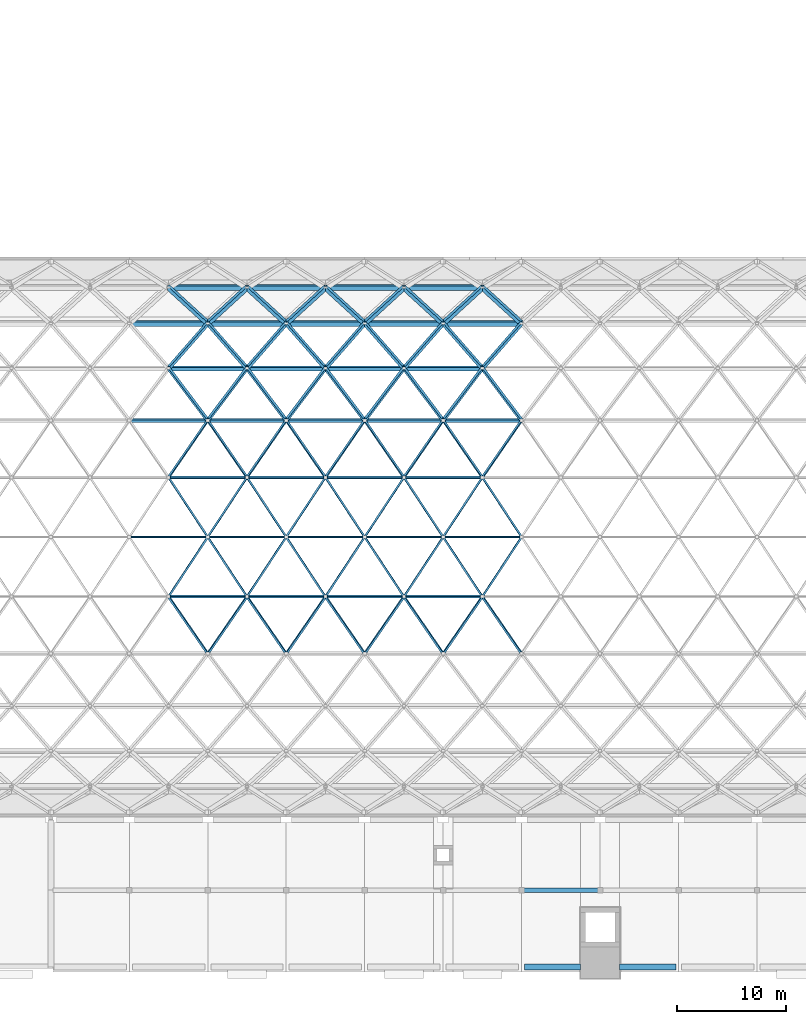
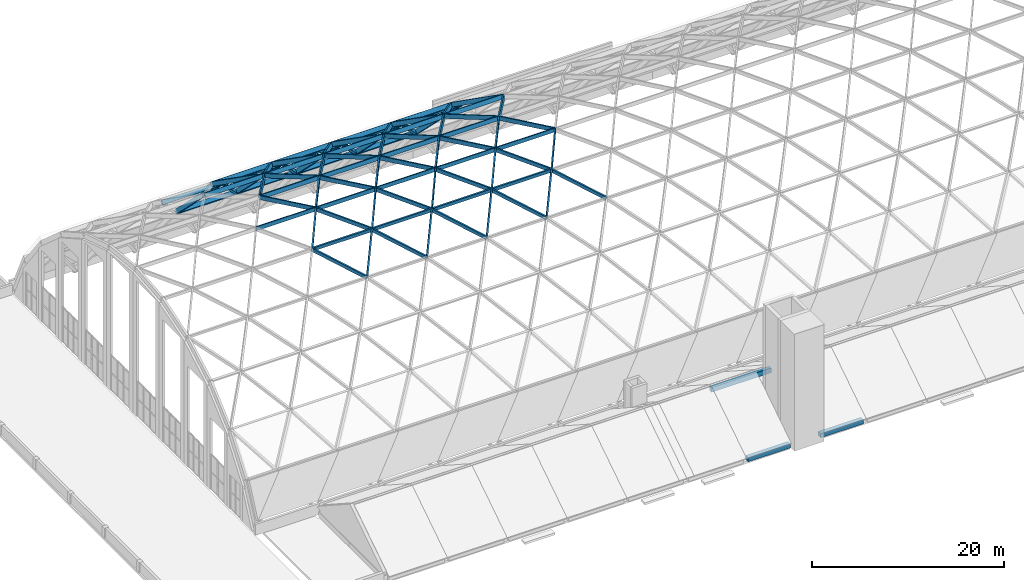
# One storey, part 7 of 52: 63 members, 34 beams.
"""IFC4 building model written with IfcOpenShell, lengths in metres."""

from ifc_helpers import new_model, si_unit, direction, frame, origin, origin_2d, place, context, subcontext, project, spatial, rectangle, extrude, material, material_profile, profile_set, type_object, element, save


model = new_model("IFC4")

# Units and contexts
model_context = context("Model", 3, precision=1e-05, world=origin(), true_north=direction((0.0, 1.0)))
body_context = subcontext(model_context, "Body", "Model", "MODEL_VIEW")
ifc_project = project(units=[si_unit("LENGTHUNIT", "METRE"), si_unit("AREAUNIT", "SQUARE_METRE"), si_unit("VOLUMEUNIT", "CUBIC_METRE"), si_unit("PLANEANGLEUNIT", "RADIAN"), si_unit("MASSUNIT", "GRAM", prefix="KILO")], contexts=[model_context])

# Site, building, storey
site_placement = place(None, origin())
site = spatial("IfcSite", under=ifc_project, at=site_placement, CompositionType="ELEMENT")
building_placement = place(site_placement, origin())
building = spatial("IfcBuilding", under=site, at=building_placement, Name="Vermilion Court Aquatics Centre", CompositionType="ELEMENT")
storey_placement = place(building_placement, frame((0.0, 0.0, 12.0)))
storey = spatial("IfcBuildingStorey", under=building, at=storey_placement, Name="L02", CompositionType="ELEMENT", Elevation=12.0)

# Beams
ifc_material_1 = material(Name="Glulam 24F-V4 Douglas fir", Category="wood")
ifc_material_profile_1 = material_profile(ifc_material_1, rectangle(XDim=0.1298828125, YDim=0.5, at=origin_2d()), Name="GL24F 130x500")
ifc_profile_set_1 = profile_set([ifc_material_profile_1], Name="Glulam 24F-V4 Douglas fir")
beam_type_1 = type_object("IfcBeamType", Name="Roof glulam beam GL24F 130x500", PredefinedType="BEAM", material=ifc_profile_set_1)
for number, where, z_axis, x_axis, name in (
    (1, (28.800048828125, 39.60009765625, 18.25), (1.0, 0.0, 0.0), (0.0, 1.0, 0.0), "Gridshell member GM-S06-02"),
    (2, (36.0, 39.60009765625, 18.25), (1.0, 0.0, 0.0), (0.0, 1.0, 0.0), "Gridshell member GM-S06-03"),
    (3, (43.199951171875, 39.60009765625, 18.25), (1.0, 0.0, 0.0), (0.0, 1.0, 0.0), "Gridshell member GM-S06-04"),
):
    element("IfcBeam", number, at=place(storey_placement, frame(where, z_axis=z_axis, x_axis=x_axis)), inside=storey, type_object=beam_type_1, Name=name, PredefinedType="BEAM", context=body_context, shape_type="SweptSolid", body=[
        extrude(rectangle(XDim=0.1298828125, YDim=0.5, at=origin_2d()), origin(), (0.0, 0.0, 1.0), 7.199951171875),
    ])
beam_1_placement = place(storey_placement, frame((50.39990234375, 39.60009765625, 18.25), z_axis=(1.0, 0.0, 0.0), x_axis=(0.0, 1.0, 0.0)))
element("IfcBeam", 4, at=beam_1_placement, inside=storey, type_object=beam_type_1, Name="Gridshell member GM-S06-05", PredefinedType="BEAM", context=body_context, shape_type="SweptSolid", body=[
    extrude(rectangle(XDim=0.1298828125, YDim=0.5, at=origin_2d()), origin(), (0.0, 0.0, 1.0), 7.2001953125),
])
beam_2_placement = place(storey_placement, frame((57.60009765625, 39.60009765625, 18.25), z_axis=(1.0, 0.0, 0.0), x_axis=(0.0, 1.0, 0.0)))
element("IfcBeam", 5, at=beam_2_placement, inside=storey, type_object=beam_type_1, Name="Gridshell member GM-S06-06", PredefinedType="BEAM", context=body_context, shape_type="SweptSolid", body=[
    extrude(rectangle(XDim=0.1298828125, YDim=0.5, at=origin_2d()), origin(), (0.0, 0.0, 1.0), 7.199951171875),
])
ifc_material_2 = material(Name="Glulam 24F-V4 Douglas fir", Category="wood")
ifc_material_profile_2 = material_profile(ifc_material_2, rectangle(XDim=0.1708984375, YDim=0.5, at=origin_2d()), Name="GL24F 171x500")
ifc_profile_set_2 = profile_set([ifc_material_profile_2], Name="Glulam 24F-V4 Douglas fir")
beam_type_2 = type_object("IfcBeamType", Name="Roof glulam beam GL24F 171x500", PredefinedType="BEAM", material=ifc_profile_set_2)
beam_3_placement = place(storey_placement, frame((32.39990234375, 34.1298828125, 17.681884765625), z_axis=(1.0, 0.0, 0.0), x_axis=(0.0, 0.978692135467, 0.205333153619)))
element("IfcBeam", 6, at=beam_3_placement, inside=storey, type_object=beam_type_2, Name="Gridshell member GM-S05-03", PredefinedType="BEAM", context=body_context, shape_type="SweptSolid", body=[
    extrude(rectangle(XDim=0.1708984375, YDim=0.5, at=origin_2d()), origin(), (0.0, 0.0, 1.0), 7.2001953125),
])
for number, where, z_axis, x_axis, name in (
    (7, (39.60009765625, 34.1298828125, 17.681884765625), (1.0, 0.0, 0.0), (0.0, 0.978692135467, 0.205333153619), "Gridshell member GM-S05-04"),
    (8, (46.800048828125, 34.1298828125, 17.681884765625), (1.0, 0.0, 0.0), (0.0, 0.978692135467, 0.205333153619), "Gridshell member GM-S05-05"),
    (9, (54.0, 34.1298828125, 17.681884765625), (1.0, 0.0, 0.0), (0.0, 0.978692135467, 0.205333153619), "Gridshell member GM-S05-06"),
):
    element("IfcBeam", number, at=place(storey_placement, frame(where, z_axis=z_axis, x_axis=x_axis)), inside=storey, type_object=beam_type_2, Name=name, PredefinedType="BEAM", context=body_context, shape_type="SweptSolid", body=[
        extrude(rectangle(XDim=0.1708984375, YDim=0.5, at=origin_2d()), origin(), (0.0, 0.0, 1.0), 7.199951171875),
    ])
beam_4_placement = place(storey_placement, frame((32.39990234375, 45.070068359375, 17.681884765625), z_axis=(1.0, 0.0, 0.0), x_axis=(0.0, 0.978692135467, -0.205333153619)))
element("IfcBeam", 10, at=beam_4_placement, inside=storey, type_object=beam_type_2, Name="Gridshell member GM-S07-03", PredefinedType="BEAM", context=body_context, shape_type="SweptSolid", body=[
    extrude(rectangle(XDim=0.1708984375, YDim=0.5, at=origin_2d()), origin(), (0.0, 0.0, 1.0), 7.2001953125),
])
for number, where, z_axis, x_axis, name in (
    (11, (39.60009765625, 45.070068359375, 17.681884765625), (1.0, 0.0, 0.0), (0.0, 0.978692135467, -0.205333153619), "Gridshell member GM-S07-04"),
    (12, (46.800048828125, 45.070068359375, 17.681884765625), (1.0, 0.0, 0.0), (0.0, 0.978692135467, -0.205333153619), "Gridshell member GM-S07-05"),
    (13, (54.0, 45.070068359375, 17.681884765625), (1.0, 0.0, 0.0), (0.0, 0.978692135467, -0.205333153619), "Gridshell member GM-S07-06"),
    (14, (28.800048828125, 50.300048828125, 16.007080078125), (1.0, 0.0, 0.0), (0.0, 0.915794264632, -0.401647687492), "Gridshell member GM-S08-02"),
    (15, (36.0, 50.300048828125, 16.007080078125), (1.0, 0.0, 0.0), (0.0, 0.915794264632, -0.401647687492), "Gridshell member GM-S08-03"),
    (16, (43.199951171875, 50.300048828125, 16.007080078125), (1.0, 0.0, 0.0), (0.0, 0.915794264632, -0.401647687492), "Gridshell member GM-S08-04"),
):
    element("IfcBeam", number, at=place(storey_placement, frame(where, z_axis=z_axis, x_axis=x_axis)), inside=storey, type_object=beam_type_2, Name=name, PredefinedType="BEAM", context=body_context, shape_type="SweptSolid", body=[
        extrude(rectangle(XDim=0.1708984375, YDim=0.5, at=origin_2d()), origin(), (0.0, 0.0, 1.0), 7.199951171875),
    ])
beam_5_placement = place(storey_placement, frame((50.39990234375, 50.300048828125, 16.007080078125), z_axis=(1.0, 0.0, 0.0), x_axis=(0.0, 0.915794264632, -0.401647687492)))
element("IfcBeam", 17, at=beam_5_placement, inside=storey, type_object=beam_type_2, Name="Gridshell member GM-S08-05", PredefinedType="BEAM", context=body_context, shape_type="SweptSolid", body=[
    extrude(rectangle(XDim=0.1708984375, YDim=0.5, at=origin_2d()), origin(), (0.0, 0.0, 1.0), 7.2001953125),
])
beam_6_placement = place(storey_placement, frame((57.60009765625, 50.300048828125, 16.007080078125), z_axis=(1.0, 0.0, 0.0), x_axis=(0.0, 0.915794264632, -0.401647687492)))
element("IfcBeam", 18, at=beam_6_placement, inside=storey, type_object=beam_type_2, Name="Gridshell member GM-S08-06", PredefinedType="BEAM", context=body_context, shape_type="SweptSolid", body=[
    extrude(rectangle(XDim=0.1708984375, YDim=0.5, at=origin_2d()), origin(), (0.0, 0.0, 1.0), 7.199951171875),
])
ifc_material_3 = material(Name="Glulam 24F-V4 Douglas fir", Category="wood")
ifc_material_profile_3 = material_profile(ifc_material_3, rectangle(XDim=0.221923828125, YDim=0.5, at=origin_2d()), Name="GL24F 222x500")
ifc_profile_set_3 = profile_set([ifc_material_profile_3], Name="Glulam 24F-V4 Douglas fir")
beam_type_3 = type_object("IfcBeamType", Name="Roof glulam beam GL24F 222x500", PredefinedType="BEAM", material=ifc_profile_set_3)
beam_7_placement = place(storey_placement, frame((32.39990234375, 55.080078125, 13.291015625), z_axis=(1.0, 0.0, 0.0), x_axis=(0.0, 0.813847589394, -0.581078395087)))
element("IfcBeam", 19, at=beam_7_placement, inside=storey, type_object=beam_type_3, Name="Gridshell member GM-S09-03", PredefinedType="BEAM", context=body_context, shape_type="SweptSolid", body=[
    extrude(rectangle(XDim=0.221923828125, YDim=0.5, at=origin_2d()), origin(), (0.0, 0.0, 1.0), 7.2001953125),
])
for number, where, z_axis, x_axis, name in (
    (20, (39.60009765625, 55.080078125, 13.291015625), (1.0, 0.0, 0.0), (0.0, 0.813847589394, -0.581078395087), "Gridshell member GM-S09-04"),
    (21, (46.800048828125, 55.080078125, 13.291015625), (1.0, 0.0, 0.0), (0.0, 0.813847589394, -0.581078395087), "Gridshell member GM-S09-05"),
    (22, (54.0, 55.080078125, 13.291015625), (1.0, 0.0, 0.0), (0.0, 0.813847589394, -0.581078395087), "Gridshell member GM-S09-06"),
    (23, (28.800048828125, 59.199951171875, 9.652099609375), (1.0, 0.0, 0.0), (0.0, 0.677259808472, -0.735743944473), "Gridshell member GM-S10-02"),
    (24, (36.0, 59.199951171875, 9.652099609375), (1.0, 0.0, 0.0), (0.0, 0.677259808472, -0.735743944473), "Gridshell member GM-S10-03"),
    (25, (43.199951171875, 59.199951171875, 9.652099609375), (1.0, 0.0, 0.0), (0.0, 0.677259808472, -0.735743944473), "Gridshell member GM-S10-04"),
):
    element("IfcBeam", number, at=place(storey_placement, frame(where, z_axis=z_axis, x_axis=x_axis)), inside=storey, type_object=beam_type_3, Name=name, PredefinedType="BEAM", context=body_context, shape_type="SweptSolid", body=[
        extrude(rectangle(XDim=0.221923828125, YDim=0.5, at=origin_2d()), origin(), (0.0, 0.0, 1.0), 7.199951171875),
    ])
beam_8_placement = place(storey_placement, frame((50.39990234375, 59.199951171875, 9.652099609375), z_axis=(1.0, 0.0, 0.0), x_axis=(0.0, 0.677259808472, -0.735743944473)))
element("IfcBeam", 26, at=beam_8_placement, inside=storey, type_object=beam_type_3, Name="Gridshell member GM-S10-05", PredefinedType="BEAM", context=body_context, shape_type="SweptSolid", body=[
    extrude(rectangle(XDim=0.221923828125, YDim=0.5, at=origin_2d()), origin(), (0.0, 0.0, 1.0), 7.2001953125),
])
beam_9_placement = place(storey_placement, frame((57.60009765625, 59.199951171875, 9.652099609375), z_axis=(1.0, 0.0, 0.0), x_axis=(0.0, 0.677259808472, -0.735743944473)))
element("IfcBeam", 27, at=beam_9_placement, inside=storey, type_object=beam_type_3, Name="Gridshell member GM-S10-06", PredefinedType="BEAM", context=body_context, shape_type="SweptSolid", body=[
    extrude(rectangle(XDim=0.221923828125, YDim=0.5, at=origin_2d()), origin(), (0.0, 0.0, 1.0), 7.199951171875),
])
ifc_material_4 = material(Name="Glulam 24F-V4 Douglas fir", Category="wood")
ifc_material_profile_4 = material_profile(ifc_material_4, rectangle(XDim=0.27294921875, YDim=0.5, at=origin_2d()), Name="GL24F 273x500")
ifc_profile_set_4 = profile_set([ifc_material_profile_4], Name="Glulam 24F-V4 Douglas fir")
beam_type_4 = type_object("IfcBeamType", Name="Roof glulam beam GL24F 273x500", PredefinedType="BEAM", material=ifc_profile_set_4)
beam_10_placement = place(storey_placement, frame((32.39990234375, 62.489990234375, 5.239013671875), z_axis=(1.0, 0.0, 0.0), x_axis=(0.0, 0.511594723072, -0.859226884661)))
element("IfcBeam", 28, at=beam_10_placement, inside=storey, type_object=beam_type_4, Name="Gridshell member GM-S11-03", PredefinedType="BEAM", context=body_context, shape_type="SweptSolid", body=[
    extrude(rectangle(XDim=0.27294921875, YDim=0.5, at=origin_2d()), origin(), (0.0, 0.0, 1.0), 7.2001953125),
])
for number, where, z_axis, x_axis, name in (
    (29, (39.60009765625, 62.489990234375, 5.239013671875), (1.0, 0.0, 0.0), (0.0, 0.511594723072, -0.859226884661), "Gridshell member GM-S11-04"),
    (30, (46.800048828125, 62.489990234375, 5.239013671875), (1.0, 0.0, 0.0), (0.0, 0.511594723072, -0.859226884661), "Gridshell member GM-S11-05"),
    (31, (54.0, 62.489990234375, 5.239013671875), (1.0, 0.0, 0.0), (0.0, 0.511594723072, -0.859226884661), "Gridshell member GM-S11-06"),
):
    element("IfcBeam", number, at=place(storey_placement, frame(where, z_axis=z_axis, x_axis=x_axis)), inside=storey, type_object=beam_type_4, Name=name, PredefinedType="BEAM", context=body_context, shape_type="SweptSolid", body=[
        extrude(rectangle(XDim=0.27294921875, YDim=0.5, at=origin_2d()), origin(), (0.0, 0.0, 1.0), 7.199951171875),
    ])

# Members
ifc_material_5 = material(Name="Glulam 24F-V4 Douglas fir", Category="wood")
ifc_material_profile_5 = material_profile(ifc_material_5, rectangle(XDim=0.1708984375, YDim=0.5, at=origin_2d()), Name="GL24F 171x500")
ifc_profile_set_5 = profile_set([ifc_material_profile_5], Name="Glulam 24F-V4 Douglas fir")
member_type_1 = type_object("IfcMemberType", Name="Roof glulam diagonal GL24F 171x500", PredefinedType="BRACE", material=ifc_profile_set_5)
for number, where, z_axis, x_axis, name in (
    (32, (36.0, 28.89990234375, 16.007080078125), (-0.548255650399, 0.796469045357, 0.255054507103), (-0.836310790084, -0.522113193833, -0.167278436192), "Gridshell member GM-D04-05"),
    (33, (36.0, 28.89990234375, 16.007080078125), (0.548255650399, 0.796469045357, 0.255054507103), (-0.836310790084, 0.522113193833, 0.167278436192), "Gridshell member GM-D04-06"),
    (34, (43.199951171875, 28.89990234375, 16.007080078125), (-0.548229645356, 0.796485280625, 0.255059706147), (-0.836327836937, -0.522085963539, -0.167278198938), "Gridshell member GM-D04-07"),
    (35, (43.199951171875, 28.89990234375, 16.007080078125), (0.548255650399, 0.796469045357, 0.255054507103), (-0.836310790084, 0.522113193833, 0.167278436192), "Gridshell member GM-D04-08"),
    (36, (50.39990234375, 28.89990234375, 16.007080078125), (-0.548229645356, 0.796485280625, 0.255059706147), (-0.836327836937, -0.522085963539, -0.167278198938), "Gridshell member GM-D04-09"),
    (37, (50.39990234375, 28.89990234375, 16.007080078125), (0.548255650399, 0.796469045357, 0.255054507103), (-0.836310790084, 0.522113193833, 0.167278436192), "Gridshell member GM-D04-10"),
    (38, (57.60009765625, 28.89990234375, 16.007080078125), (-0.548255650399, 0.796469045357, 0.255054507103), (-0.836310790084, -0.522113193833, -0.167278436192), "Gridshell member GM-D04-11"),
    (39, (57.60009765625, 28.89990234375, 16.007080078125), (0.548229645356, 0.796485280625, 0.255059706147), (-0.836327836937, 0.522085963539, 0.167278198938), "Gridshell member GM-D04-12"),
    (40, (64.800048828125, 28.89990234375, 16.007080078125), (-0.548255650399, 0.796469045357, 0.255054507103), (-0.836310790084, -0.522113193833, -0.167278436192), "Gridshell member GM-D04-13"),
):
    element("IfcMember", number, at=place(storey_placement, frame(where, z_axis=z_axis, x_axis=x_axis)), inside=storey, type_object=member_type_1, Name=name, PredefinedType="BRACE", context=body_context, shape_type="SweptSolid", body=[
        extrude(rectangle(XDim=0.1708984375, YDim=0.5, at=origin_2d()), origin(), (0.0, 0.0, 1.0), 6.56640625),
    ])
for number, where, z_axis, x_axis, name in (
    (41, (32.39990234375, 34.1298828125, 17.681884765625), (0.547694891547, 0.83220207107, 0.086429269811), (-0.83667813664, 0.544769518799, 0.056532000293), "Gridshell member GM-D05-05"),
    (42, (39.60009765625, 34.1298828125, 17.681884765625), (-0.547694891547, 0.83220207107, 0.086429269811), (-0.83667813664, -0.544769518799, -0.056532000293), "Gridshell member GM-D05-06"),
):
    element("IfcMember", number, at=place(storey_placement, frame(where, z_axis=z_axis, x_axis=x_axis)), inside=storey, type_object=member_type_1, Name=name, PredefinedType="BRACE", context=body_context, shape_type="SweptSolid", body=[
        extrude(rectangle(XDim=0.1708984375, YDim=0.5, at=origin_2d()), origin(), (0.0, 0.0, 1.0), 6.5732421875),
    ])
member_1_placement = place(storey_placement, frame((39.60009765625, 34.1298828125, 17.681884765625), z_axis=(0.547668890277, 0.832219000038, 0.086431027987), x_axis=(-0.83669515676, 0.544743378643, 0.056531991638)))
element("IfcMember", 43, at=member_1_placement, inside=storey, type_object=member_type_1, Name="Gridshell member GM-D05-07", PredefinedType="BRACE", context=body_context, shape_type="SweptSolid", body=[
    extrude(rectangle(XDim=0.1708984375, YDim=0.5, at=origin_2d()), origin(), (0.0, 0.0, 1.0), 6.572998046875),
])
member_2_placement = place(storey_placement, frame((46.800048828125, 34.1298828125, 17.681884765625), z_axis=(-0.547694891547, 0.83220207107, 0.086429269811), x_axis=(-0.83667813664, -0.544769518799, -0.056532000293)))
element("IfcMember", 44, at=member_2_placement, inside=storey, type_object=member_type_1, Name="Gridshell member GM-D05-08", PredefinedType="BRACE", context=body_context, shape_type="SweptSolid", body=[
    extrude(rectangle(XDim=0.1708984375, YDim=0.5, at=origin_2d()), origin(), (0.0, 0.0, 1.0), 6.5732421875),
])
member_3_placement = place(storey_placement, frame((46.800048828125, 34.1298828125, 17.681884765625), z_axis=(0.547668890277, 0.832219000038, 0.086431027987), x_axis=(-0.83669515676, 0.544743378643, 0.056531991638)))
element("IfcMember", 45, at=member_3_placement, inside=storey, type_object=member_type_1, Name="Gridshell member GM-D05-09", PredefinedType="BRACE", context=body_context, shape_type="SweptSolid", body=[
    extrude(rectangle(XDim=0.1708984375, YDim=0.5, at=origin_2d()), origin(), (0.0, 0.0, 1.0), 6.572998046875),
])
for number, where, z_axis, x_axis, name in (
    (46, (54.0, 34.1298828125, 17.681884765625), (-0.547694891547, 0.83220207107, 0.086429269811), (-0.83667813664, -0.544769518799, -0.056532000293), "Gridshell member GM-D05-10"),
    (47, (54.0, 34.1298828125, 17.681884765625), (0.547694891547, 0.83220207107, 0.086429269811), (-0.83667813664, 0.544769518799, 0.056532000293), "Gridshell member GM-D05-11"),
):
    element("IfcMember", number, at=place(storey_placement, frame(where, z_axis=z_axis, x_axis=x_axis)), inside=storey, type_object=member_type_1, Name=name, PredefinedType="BRACE", context=body_context, shape_type="SweptSolid", body=[
        extrude(rectangle(XDim=0.1708984375, YDim=0.5, at=origin_2d()), origin(), (0.0, 0.0, 1.0), 6.5732421875),
    ])
member_4_placement = place(storey_placement, frame((61.199951171875, 34.1298828125, 17.681884765625), z_axis=(-0.547668890277, 0.832219000038, 0.086431027987), x_axis=(-0.83669515676, -0.544743378643, -0.056531991638)))
element("IfcMember", 48, at=member_4_placement, inside=storey, type_object=member_type_1, Name="Gridshell member GM-D05-12", PredefinedType="BRACE", context=body_context, shape_type="SweptSolid", body=[
    extrude(rectangle(XDim=0.1708984375, YDim=0.5, at=origin_2d()), origin(), (0.0, 0.0, 1.0), 6.572998046875),
])
member_5_placement = place(storey_placement, frame((61.199951171875, 34.1298828125, 17.681884765625), z_axis=(0.547694891547, 0.83220207107, 0.086429269811), x_axis=(-0.83667813664, 0.544769518799, 0.056532000293)))
element("IfcMember", 49, at=member_5_placement, inside=storey, type_object=member_type_1, Name="Gridshell member GM-D05-13", PredefinedType="BRACE", context=body_context, shape_type="SweptSolid", body=[
    extrude(rectangle(XDim=0.1708984375, YDim=0.5, at=origin_2d()), origin(), (0.0, 0.0, 1.0), 6.5732421875),
])
for number, where, z_axis, x_axis, name in (
    (50, (36.0, 39.60009765625, 18.25), (-0.547711820979, 0.832190651637, -0.086431941368), (-0.836667054109, -0.544786540764, 0.056531987142), "Gridshell member GM-D06-05"),
    (51, (36.0, 39.60009765625, 18.25), (0.547711820979, 0.832190651637, -0.086431941368), (-0.836667054109, 0.544786540764, -0.056531987142), "Gridshell member GM-D06-06"),
):
    element("IfcMember", number, at=place(storey_placement, frame(where, z_axis=z_axis, x_axis=x_axis)), inside=storey, type_object=member_type_1, Name=name, PredefinedType="BRACE", context=body_context, shape_type="SweptSolid", body=[
        extrude(rectangle(XDim=0.1708984375, YDim=0.5, at=origin_2d()), origin(), (0.0, 0.0, 1.0), 6.572998046875),
    ])
member_6_placement = place(storey_placement, frame((43.199951171875, 39.60009765625, 18.25), z_axis=(-0.547685819594, 0.832207581418, -0.086433699708), x_axis=(-0.836684075066, -0.544760400487, 0.056531978485)))
element("IfcMember", 52, at=member_6_placement, inside=storey, type_object=member_type_1, Name="Gridshell member GM-D06-07", PredefinedType="BRACE", context=body_context, shape_type="SweptSolid", body=[
    extrude(rectangle(XDim=0.1708984375, YDim=0.5, at=origin_2d()), origin(), (0.0, 0.0, 1.0), 6.57275390625),
])
member_7_placement = place(storey_placement, frame((43.199951171875, 39.60009765625, 18.25), z_axis=(0.547711820979, 0.832190651637, -0.086431941368), x_axis=(-0.836667054109, 0.544786540764, -0.056531987142)))
element("IfcMember", 53, at=member_7_placement, inside=storey, type_object=member_type_1, Name="Gridshell member GM-D06-08", PredefinedType="BRACE", context=body_context, shape_type="SweptSolid", body=[
    extrude(rectangle(XDim=0.1708984375, YDim=0.5, at=origin_2d()), origin(), (0.0, 0.0, 1.0), 6.572998046875),
])
member_8_placement = place(storey_placement, frame((50.39990234375, 39.60009765625, 18.25), z_axis=(-0.547685819594, 0.832207581418, -0.086433699708), x_axis=(-0.836684075066, -0.544760400487, 0.056531978485)))
element("IfcMember", 54, at=member_8_placement, inside=storey, type_object=member_type_1, Name="Gridshell member GM-D06-09", PredefinedType="BRACE", context=body_context, shape_type="SweptSolid", body=[
    extrude(rectangle(XDim=0.1708984375, YDim=0.5, at=origin_2d()), origin(), (0.0, 0.0, 1.0), 6.57275390625),
])
for number, where, z_axis, x_axis, name in (
    (55, (50.39990234375, 39.60009765625, 18.25), (0.547711820979, 0.832190651637, -0.086431941368), (-0.836667054109, 0.544786540764, -0.056531987142), "Gridshell member GM-D06-10"),
    (56, (57.60009765625, 39.60009765625, 18.25), (-0.547711820979, 0.832190651637, -0.086431941368), (-0.836667054109, -0.544786540764, 0.056531987142), "Gridshell member GM-D06-11"),
):
    element("IfcMember", number, at=place(storey_placement, frame(where, z_axis=z_axis, x_axis=x_axis)), inside=storey, type_object=member_type_1, Name=name, PredefinedType="BRACE", context=body_context, shape_type="SweptSolid", body=[
        extrude(rectangle(XDim=0.1708984375, YDim=0.5, at=origin_2d()), origin(), (0.0, 0.0, 1.0), 6.572998046875),
    ])
member_9_placement = place(storey_placement, frame((57.60009765625, 39.60009765625, 18.25), z_axis=(0.547685819594, 0.832207581418, -0.086433699708), x_axis=(-0.836684075066, 0.544760400487, -0.056531978485)))
element("IfcMember", 57, at=member_9_placement, inside=storey, type_object=member_type_1, Name="Gridshell member GM-D06-12", PredefinedType="BRACE", context=body_context, shape_type="SweptSolid", body=[
    extrude(rectangle(XDim=0.1708984375, YDim=0.5, at=origin_2d()), origin(), (0.0, 0.0, 1.0), 6.57275390625),
])
member_10_placement = place(storey_placement, frame((64.800048828125, 39.60009765625, 18.25), z_axis=(-0.547711820979, 0.832190651637, -0.086431941368), x_axis=(-0.836667054109, -0.544786540764, 0.056531987142)))
element("IfcMember", 58, at=member_10_placement, inside=storey, type_object=member_type_1, Name="Gridshell member GM-D06-13", PredefinedType="BRACE", context=body_context, shape_type="SweptSolid", body=[
    extrude(rectangle(XDim=0.1708984375, YDim=0.5, at=origin_2d()), origin(), (0.0, 0.0, 1.0), 6.572998046875),
])
for number, where, z_axis, x_axis, name in (
    (59, (32.39990234375, 45.070068359375, 17.681884765625), (0.548255650399, 0.796469045357, -0.255054507103), (-0.836310790084, 0.522113193833, -0.167278436192), "Gridshell member GM-D07-05"),
    (60, (39.60009765625, 45.070068359375, 17.681884765625), (-0.548255650399, 0.796469045357, -0.255054507103), (-0.836310790084, -0.522113193833, 0.167278436192), "Gridshell member GM-D07-06"),
    (61, (39.60009765625, 45.070068359375, 17.681884765625), (0.548229645356, 0.796485280625, -0.255059706147), (-0.836327836937, 0.522085963539, -0.167278198938), "Gridshell member GM-D07-07"),
    (62, (46.800048828125, 45.070068359375, 17.681884765625), (-0.548255650399, 0.796469045357, -0.255054507103), (-0.836310790084, -0.522113193833, 0.167278436192), "Gridshell member GM-D07-08"),
    (63, (46.800048828125, 45.070068359375, 17.681884765625), (0.548229645356, 0.796485280625, -0.255059706147), (-0.836327836937, 0.522085963539, -0.167278198938), "Gridshell member GM-D07-09"),
    (64, (54.0, 45.070068359375, 17.681884765625), (-0.548255650399, 0.796469045357, -0.255054507103), (-0.836310790084, -0.522113193833, 0.167278436192), "Gridshell member GM-D07-10"),
    (65, (54.0, 45.070068359375, 17.681884765625), (0.548255650399, 0.796469045357, -0.255054507103), (-0.836310790084, 0.522113193833, -0.167278436192), "Gridshell member GM-D07-11"),
    (66, (61.199951171875, 45.070068359375, 17.681884765625), (-0.548229645356, 0.796485280625, -0.255059706147), (-0.836327836937, -0.522085963539, 0.167278198938), "Gridshell member GM-D07-12"),
    (67, (61.199951171875, 45.070068359375, 17.681884765625), (0.548255650399, 0.796469045357, -0.255054507103), (-0.836310790084, 0.522113193833, -0.167278436192), "Gridshell member GM-D07-13"),
):
    element("IfcMember", number, at=place(storey_placement, frame(where, z_axis=z_axis, x_axis=x_axis)), inside=storey, type_object=member_type_1, Name=name, PredefinedType="BRACE", context=body_context, shape_type="SweptSolid", body=[
        extrude(rectangle(XDim=0.1708984375, YDim=0.5, at=origin_2d()), origin(), (0.0, 0.0, 1.0), 6.56640625),
    ])
ifc_material_6 = material(Name="Glulam 24F-V4 Douglas fir", Category="wood")
ifc_material_profile_6 = material_profile(ifc_material_6, rectangle(XDim=0.221923828125, YDim=0.5, at=origin_2d()), Name="GL24F 222x500")
ifc_profile_set_6 = profile_set([ifc_material_profile_6], Name="Glulam 24F-V4 Douglas fir")
member_type_2 = type_object("IfcMemberType", Name="Roof glulam diagonal GL24F 222x500", PredefinedType="BRACE", material=ifc_profile_set_6)
for number, where, z_axis, x_axis, name in (
    (68, (36.0, 50.300048828125, 16.007080078125), (-0.547823721413, 0.72737289038, -0.413301159685), (-0.836593790264, -0.476314014443, 0.270621118423), "Gridshell member GM-D08-05"),
    (69, (36.0, 50.300048828125, 16.007080078125), (0.547823721413, 0.72737289038, -0.413301159685), (-0.836593790264, 0.476314014443, -0.270621118423), "Gridshell member GM-D08-06"),
    (70, (43.199951171875, 50.300048828125, 16.007080078125), (-0.54779771927, 0.727387693835, -0.413309571169), (-0.836610816753, -0.476284752714, 0.270619983787), "Gridshell member GM-D08-07"),
    (71, (43.199951171875, 50.300048828125, 16.007080078125), (0.547823721413, 0.72737289038, -0.413301159685), (-0.836593790264, 0.476314014443, -0.270621118423), "Gridshell member GM-D08-08"),
    (72, (50.39990234375, 50.300048828125, 16.007080078125), (-0.54779771927, 0.727387693835, -0.413309571169), (-0.836610816753, -0.476284752714, 0.270619983787), "Gridshell member GM-D08-09"),
    (73, (50.39990234375, 50.300048828125, 16.007080078125), (0.547823721413, 0.72737289038, -0.413301159685), (-0.836593790264, 0.476314014443, -0.270621118423), "Gridshell member GM-D08-10"),
    (74, (57.60009765625, 50.300048828125, 16.007080078125), (-0.547823721413, 0.72737289038, -0.413301159685), (-0.836593790264, -0.476314014443, 0.270621118423), "Gridshell member GM-D08-11"),
    (75, (57.60009765625, 50.300048828125, 16.007080078125), (0.54779771927, 0.727387693835, -0.413309571169), (-0.836610816753, 0.476284752714, -0.270619983787), "Gridshell member GM-D08-12"),
    (76, (64.800048828125, 50.300048828125, 16.007080078125), (-0.547823721413, 0.72737289038, -0.413301159685), (-0.836593790264, -0.476314014443, 0.270621118423), "Gridshell member GM-D08-13"),
):
    element("IfcMember", number, at=place(storey_placement, frame(where, z_axis=z_axis, x_axis=x_axis)), inside=storey, type_object=member_type_2, Name=name, PredefinedType="BRACE", context=body_context, shape_type="SweptSolid", body=[
        extrude(rectangle(XDim=0.221923828125, YDim=0.5, at=origin_2d()), origin(), (0.0, 0.0, 1.0), 6.571533203125),
    ])
for number, where, z_axis, x_axis, name in (
    (77, (32.39990234375, 55.080078125, 13.291015625), (0.547891107597, 0.626994604686, -0.553798790095), (-0.836549658829, 0.410684601647, -0.362660759228), "Gridshell member GM-D09-05"),
    (78, (39.60009765625, 55.080078125, 13.291015625), (-0.547891107597, 0.626994604686, -0.553798790095), (-0.836549658829, -0.410684601647, 0.362660759228), "Gridshell member GM-D09-06"),
    (79, (39.60009765625, 55.080078125, 13.291015625), (0.547865104999, 0.627007368387, -0.553810063752), (-0.836566689223, 0.410652793719, -0.362657493363), "Gridshell member GM-D09-07"),
    (80, (46.800048828125, 55.080078125, 13.291015625), (-0.547891107597, 0.626994604686, -0.553798790095), (-0.836549658829, -0.410684601647, 0.362660759228), "Gridshell member GM-D09-08"),
    (81, (46.800048828125, 55.080078125, 13.291015625), (0.547865104999, 0.627007368387, -0.553810063752), (-0.836566689223, 0.410652793719, -0.362657493363), "Gridshell member GM-D09-09"),
    (82, (54.0, 55.080078125, 13.291015625), (-0.547891107597, 0.626994604686, -0.553798790095), (-0.836549658829, -0.410684601647, 0.362660759228), "Gridshell member GM-D09-10"),
    (83, (54.0, 55.080078125, 13.291015625), (0.547891107597, 0.626994604686, -0.553798790095), (-0.836549658829, 0.410684601647, -0.362660759228), "Gridshell member GM-D09-11"),
    (84, (61.199951171875, 55.080078125, 13.291015625), (-0.547865104999, 0.627007368387, -0.553810063752), (-0.836566689223, -0.410652793719, 0.362657493363), "Gridshell member GM-D09-12"),
    (85, (61.199951171875, 55.080078125, 13.291015625), (0.547891107597, 0.626994604686, -0.553798790095), (-0.836549658829, 0.410684601647, -0.362660759228), "Gridshell member GM-D09-13"),
):
    element("IfcMember", number, at=place(storey_placement, frame(where, z_axis=z_axis, x_axis=x_axis)), inside=storey, type_object=member_type_2, Name=name, PredefinedType="BRACE", context=body_context, shape_type="SweptSolid", body=[
        extrude(rectangle(XDim=0.221923828125, YDim=0.5, at=origin_2d()), origin(), (0.0, 0.0, 1.0), 6.57080078125),
    ])
ifc_material_7 = material(Name="Glulam 24F-V4 Douglas fir", Category="wood")
ifc_material_profile_7 = material_profile(ifc_material_7, rectangle(XDim=0.27294921875, YDim=0.5, at=origin_2d()), Name="GL24F 273x500")
ifc_profile_set_7 = profile_set([ifc_material_profile_7], Name="Glulam 24F-V4 Douglas fir")
member_type_3 = type_object("IfcMemberType", Name="Roof glulam diagonal GL24F 273x500", PredefinedType="BRACE", material=ifc_profile_set_7)
for number, where, z_axis, x_axis, name in (
    (86, (36.0, 59.199951171875, 9.652099609375), (-0.547354985532, 0.500214009563, -0.670960851652), (-0.836900542699, -0.327116726721, 0.438853197242), "Gridshell member GM-D10-05"),
    (87, (36.0, 59.199951171875, 9.652099609375), (0.547354985532, 0.500214009563, -0.670960851652), (-0.836900542699, 0.327116726721, -0.438853197242), "Gridshell member GM-D10-06"),
    (88, (43.199951171875, 59.199951171875, 9.652099609375), (-0.547328986583, 0.500224172478, -0.670974483654), (-0.836917545043, -0.32708302, 0.438845896445), "Gridshell member GM-D10-07"),
    (89, (43.199951171875, 59.199951171875, 9.652099609375), (0.547354985532, 0.500214009563, -0.670960851652), (-0.836900542699, 0.327116726721, -0.438853197242), "Gridshell member GM-D10-08"),
    (90, (50.39990234375, 59.199951171875, 9.652099609375), (-0.547328986583, 0.500224172478, -0.670974483654), (-0.836917545043, -0.32708302, 0.438845896445), "Gridshell member GM-D10-09"),
    (91, (50.39990234375, 59.199951171875, 9.652099609375), (0.547354985532, 0.500214009563, -0.670960851652), (-0.836900542699, 0.327116726721, -0.438853197242), "Gridshell member GM-D10-10"),
    (92, (57.60009765625, 59.199951171875, 9.652099609375), (-0.547354985532, 0.500214009563, -0.670960851652), (-0.836900542699, -0.327116726721, 0.438853197242), "Gridshell member GM-D10-11"),
    (93, (57.60009765625, 59.199951171875, 9.652099609375), (0.547328986583, 0.500224172478, -0.670974483654), (-0.836917545043, 0.32708302, -0.438845896445), "Gridshell member GM-D10-12"),
    (94, (64.800048828125, 59.199951171875, 9.652099609375), (-0.547354985532, 0.500214009563, -0.670960851652), (-0.836900542699, -0.327116726721, 0.438853197242), "Gridshell member GM-D10-13"),
):
    element("IfcMember", number, at=place(storey_placement, frame(where, z_axis=z_axis, x_axis=x_axis)), inside=storey, type_object=member_type_3, Name=name, PredefinedType="BRACE", context=body_context, shape_type="SweptSolid", body=[
        extrude(rectangle(XDim=0.27294921875, YDim=0.5, at=origin_2d()), origin(), (0.0, 0.0, 1.0), 6.5771484375),
    ])

# Beams
ifc_material_8 = material(Name="Concrete 5000 psi", Category="concrete")
ifc_material_profile_8 = material_profile(ifc_material_8, rectangle(XDim=0.550048828125, YDim=0.5, at=origin_2d()), Name="RC 550x500")
ifc_profile_set_8 = profile_set([ifc_material_profile_8], Name="Concrete 5000 psi")
beam_type_5 = type_object("IfcBeamType", Name="South roof eave beam RC 550x500", PredefinedType="BEAM", material=ifc_profile_set_8)
beam_11_placement = place(storey_placement, frame((65.074951171875, 0.125, 0.236083984375), z_axis=(1.0, 0.0, 0.0), x_axis=(0.0, 1.0, 0.0)))
element("IfcBeam", 95, at=beam_11_placement, inside=storey, type_object=beam_type_5, Name="South roof eave beam", PredefinedType="BEAM", context=body_context, shape_type="SweptSolid", body=[
    extrude(rectangle(XDim=0.550048828125, YDim=0.5, at=origin_2d()), origin(), (0.0, 0.0, 1.0), 5.125),
])
beam_12_placement = place(storey_placement, frame((73.800048828125, 0.125, 0.236083984375), z_axis=(1.0, 0.0, 0.0), x_axis=(0.0, 1.0, 0.0)))
element("IfcBeam", 96, at=beam_12_placement, inside=storey, type_object=beam_type_5, Name="South roof eave beam", PredefinedType="BEAM", context=body_context, shape_type="SweptSolid", body=[
    extrude(rectangle(XDim=0.550048828125, YDim=0.5, at=origin_2d()), origin(), (0.0, 0.0, 1.0), 5.14990234375),
])
ifc_material_9 = material(Name="Concrete 5000 psi", Category="concrete")
ifc_material_profile_9 = material_profile(ifc_material_9, rectangle(XDim=0.39990234375, YDim=0.60009765625, at=origin_2d()), Name="RC 400x600")
ifc_profile_set_9 = profile_set([ifc_material_profile_9], Name="Concrete 5000 psi")
beam_type_6 = type_object("IfcBeamType", Name="South roof ridge beam RC 400x600", PredefinedType="BEAM", material=ifc_profile_set_9)
beam_13_placement = place(storey_placement, frame((64.800048828125, 7.199951171875, 4.885986328125), z_axis=(1.0, 0.0, 0.0), x_axis=(0.0, 1.0, 0.0)))
element("IfcBeam", 97, at=beam_13_placement, inside=storey, type_object=beam_type_6, Name="South roof ridge beam", PredefinedType="BEAM", context=body_context, shape_type="SweptSolid", body=[
    extrude(rectangle(XDim=0.39990234375, YDim=0.60009765625, at=origin_2d()), origin(), (0.0, 0.0, 1.0), 7.199951171875),
])

save(model, "model.ifc")
